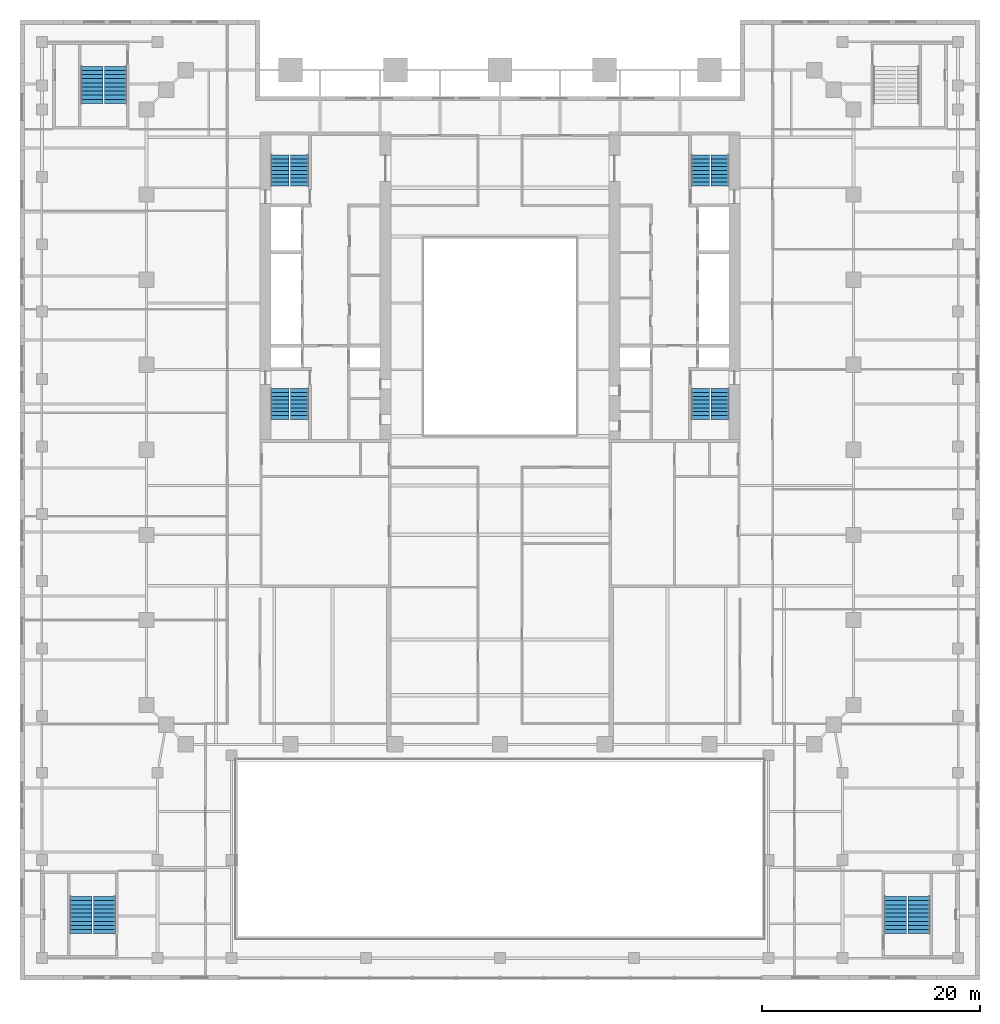
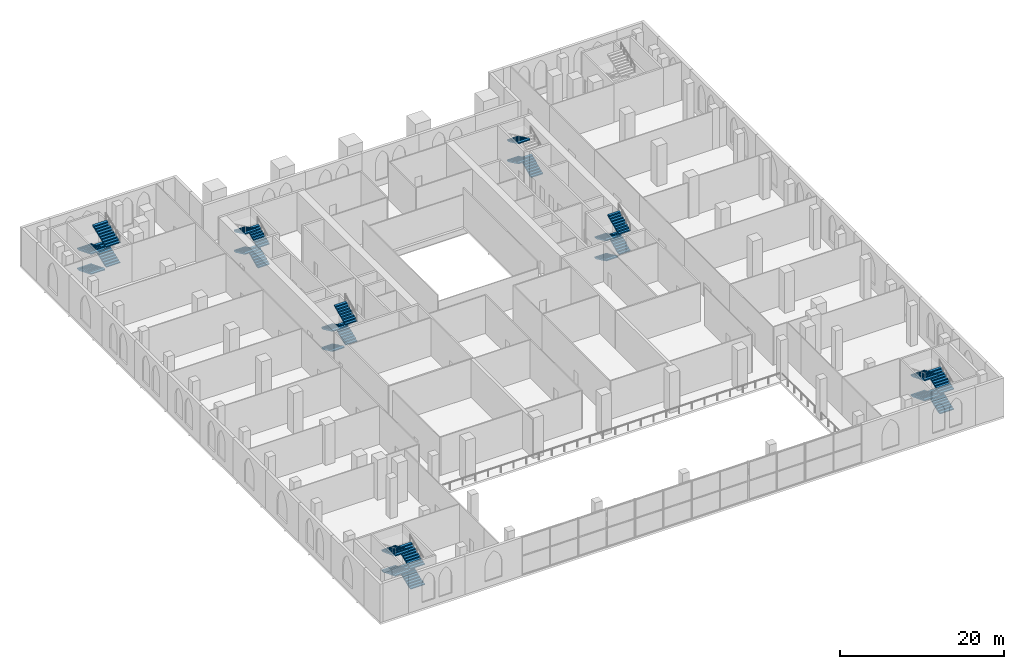
# One storey, part 18 of 21: 27 stair flights, 7 elements without a shape of their own.
"""IFC4 building model written with IfcOpenShell, lengths in metres."""

from ifc_helpers import new_model, si_unit, direction, frame, origin, place, context, subcontext, project, spatial, polyline, outline, extrude, material, type_object, element, aggregate, save


model = new_model("IFC4")

# Units and contexts
model_context = context("Model", 3, precision=1e-05, world=origin(), true_north=direction((0.0, 1.0)))
body_context = subcontext(model_context, "Body", "Model", "MODEL_VIEW")
ifc_project = project(units=[si_unit("LENGTHUNIT", "METRE"), si_unit("AREAUNIT", "SQUARE_METRE"), si_unit("VOLUMEUNIT", "CUBIC_METRE"), si_unit("PLANEANGLEUNIT", "RADIAN"), si_unit("MASSUNIT", "GRAM", prefix="KILO")], contexts=[model_context])

# Site, building, storey
site_placement = place(None, origin())
site = spatial("IfcSite", under=ifc_project, at=site_placement, CompositionType="ELEMENT")
building_placement = place(site_placement, origin())
building = spatial("IfcBuilding", under=site, at=building_placement, Name="Ogive Exchange Tower", CompositionType="ELEMENT")
storey_placement = place(building_placement, frame((0.0, 0.0, 8.0)))
storey = spatial("IfcBuildingStorey", under=building, at=storey_placement, Name="L01", CompositionType="ELEMENT", Elevation=8.0)

# Stair, stair flights
ifc_material = material(Name="Concrete C40/50", Category="concrete")
stair_type_1 = type_object("IfcStairType", Name="Exit stair 1650 wide", PredefinedType="HALF_TURN_STAIR", material=ifc_material)
stair_1_placement = place(storey_placement, origin())
stair_1 = element("IfcStair", 1, at=stair_1_placement, inside=storey, type_object=stair_type_1, Name="L01 exit stair ST1", PredefinedType="HALF_TURN_STAIR")
stair_flight_type_1 = type_object("IfcStairFlightType", Name="Stair flight 1650 wide", PredefinedType="STRAIGHT", material=ifc_material)
stair_flight_1_placement = place(storey_placement, frame((-20.175048828125, 2.199951171875, 0.0), z_axis=(0.0, 0.0, 1.0), x_axis=(0.0, -1.0, 0.0)))
stair_flight_1 = element("IfcStairFlight", 2, at=stair_flight_1_placement, type_object=stair_flight_type_1, Name="ST1 flight 1", NumberOfRisers=9, NumberOfTreads=8, PredefinedType="STRAIGHT", RiserHeight=0.166666667, TreadLength=0.351, context=body_context, shape_type="SweptSolid", body=[
    extrude(outline(polyline([(0.0, 0.0), (0.0, 0.166748046875), (0.35107421875, 0.166748046875), (0.35107421875, 0.333251953125), (0.701904296875, 0.333251953125), (0.701904296875, 0.5), (1.052978515625, 0.5), (1.052978515625, 0.666748046875), (1.404052734375, 0.666748046875), (1.404052734375, 0.833251953125), (1.7548828125, 0.833251953125), (1.7548828125, 1.0), (2.10595703125, 1.0), (2.10595703125, 1.166748046875), (2.45703125, 1.166748046875), (2.45703125, 1.333251953125), (2.80810546875, 1.333251953125), (2.80810546875, 1.5), (2.80810546875, 1.16748046875), (0.349365234375, 0.0), (0.0, 0.0)])), frame((0.0, 0.824951171875, 0.0), z_axis=(0.0, -1.0, 0.0), x_axis=(1.0, 0.0, 0.0)), (0.0, 0.0, 1.0), 1.64990234375),
])
stair_flight_2_placement = place(storey_placement, frame((-18.375, -0.60791015625, 1.5), z_axis=(0.0, 0.0, 1.0), x_axis=(0.0, 1.0, 0.0)))
stair_flight_2 = element("IfcStairFlight", 3, at=stair_flight_2_placement, type_object=stair_flight_type_1, Name="ST1 flight 2", NumberOfRisers=9, NumberOfTreads=8, PredefinedType="STRAIGHT", RiserHeight=0.166666667, TreadLength=0.351, context=body_context, shape_type="SweptSolid", body=[
    extrude(outline(polyline([(0.0, 0.0), (0.0, 0.166748046875), (0.35107421875, 0.166748046875), (0.35107421875, 0.333251953125), (0.701904296875, 0.333251953125), (0.701904296875, 0.5), (1.052978515625, 0.5), (1.052978515625, 0.666748046875), (1.404052734375, 0.666748046875), (1.404052734375, 0.833251953125), (1.7548828125, 0.833251953125), (1.7548828125, 1.0), (2.10595703125, 1.0), (2.10595703125, 1.166748046875), (2.45703125, 1.166748046875), (2.45703125, 1.333251953125), (2.80810546875, 1.333251953125), (2.80810546875, 1.5), (2.80810546875, 1.16748046875), (0.349365234375, 0.0), (0.0, 0.0)])), frame((0.0, 0.824951171875, 0.0), z_axis=(0.0, -1.0, 0.0), x_axis=(1.0, 0.0, 0.0)), (0.0, 0.0, 1.0), 1.64990234375),
])
stair_flight_3_placement = place(storey_placement, frame((-20.175048828125, 2.199951171875, 3.0), z_axis=(0.0, 0.0, 1.0), x_axis=(0.0, -1.0, 0.0)))
stair_flight_3 = element("IfcStairFlight", 4, at=stair_flight_3_placement, type_object=stair_flight_type_1, Name="ST1 flight 3", NumberOfRisers=9, NumberOfTreads=8, PredefinedType="STRAIGHT", RiserHeight=0.166666667, TreadLength=0.351, context=body_context, shape_type="SweptSolid", body=[
    extrude(outline(polyline([(0.0, 0.0), (0.0, 0.166748046875), (0.35107421875, 0.166748046875), (0.35107421875, 0.333251953125), (0.701904296875, 0.333251953125), (0.701904296875, 0.5), (1.052978515625, 0.5), (1.052978515625, 0.666748046875), (1.404052734375, 0.666748046875), (1.404052734375, 0.833251953125), (1.7548828125, 0.833251953125), (1.7548828125, 1.0), (2.10595703125, 1.0), (2.10595703125, 1.166748046875), (2.45703125, 1.166748046875), (2.45703125, 1.333251953125), (2.80810546875, 1.333251953125), (2.80810546875, 1.5), (2.80810546875, 1.16748046875), (0.349365234375, 0.0), (0.0, 0.0)])), frame((0.0, 0.824951171875, 0.0), z_axis=(0.0, -1.0, 0.0), x_axis=(1.0, 0.0, 0.0)), (0.0, 0.0, 1.0), 1.64990234375),
])
stair_flight_4_placement = place(storey_placement, frame((-18.375, -0.60791015625, 4.5), z_axis=(0.0, 0.0, 1.0), x_axis=(0.0, 1.0, 0.0)))
stair_flight_4 = element("IfcStairFlight", 5, at=stair_flight_4_placement, type_object=stair_flight_type_1, Name="ST1 flight 4", NumberOfRisers=9, NumberOfTreads=8, PredefinedType="STRAIGHT", RiserHeight=0.166666667, TreadLength=0.351, context=body_context, shape_type="SweptSolid", body=[
    extrude(outline(polyline([(0.0, 0.0), (0.0, 0.166748046875), (0.35107421875, 0.166748046875), (0.35107421875, 0.333251953125), (0.701904296875, 0.333251953125), (0.701904296875, 0.5), (1.052978515625, 0.5), (1.052978515625, 0.666748046875), (1.404052734375, 0.666748046875), (1.404052734375, 0.833251953125), (1.7548828125, 0.833251953125), (1.7548828125, 1.0), (2.10595703125, 1.0), (2.10595703125, 1.166748046875), (2.45703125, 1.166748046875), (2.45703125, 1.333251953125), (2.80810546875, 1.333251953125), (2.80810546875, 1.5), (2.80810546875, 1.16748046875), (0.349365234375, 0.0), (0.0, 0.0)])), frame((0.0, 0.824951171875, 0.0), z_axis=(0.0, -1.0, 0.0), x_axis=(1.0, 0.0, 0.0)), (0.0, 0.0, 1.0), 1.64990234375),
])
aggregate(stair_1, [stair_flight_1, stair_flight_2, stair_flight_3, stair_flight_4])

stair_2_placement = place(storey_placement, origin())
stair_2 = element("IfcStair", 6, at=stair_2_placement, inside=storey, type_object=stair_type_1, Name="L01 exit stair ST2", PredefinedType="HALF_TURN_STAIR")
stair_flight_5_placement = place(storey_placement, frame((-18.375, 20.800048828125, 0.0), z_axis=(0.0, 0.0, 1.0), x_axis=(0.0, 1.0, 0.0)))
stair_flight_5 = element("IfcStairFlight", 7, at=stair_flight_5_placement, type_object=stair_flight_type_1, Name="ST2 flight 1", NumberOfRisers=9, NumberOfTreads=8, PredefinedType="STRAIGHT", RiserHeight=0.166666667, TreadLength=0.351, context=body_context, shape_type="SweptSolid", body=[
    extrude(outline(polyline([(0.0, 0.0), (0.0, 0.166748046875), (0.35107421875, 0.166748046875), (0.35107421875, 0.333251953125), (0.701904296875, 0.333251953125), (0.701904296875, 0.5), (1.052978515625, 0.5), (1.052978515625, 0.666748046875), (1.404052734375, 0.666748046875), (1.404052734375, 0.833251953125), (1.7548828125, 0.833251953125), (1.7548828125, 1.0), (2.10595703125, 1.0), (2.10595703125, 1.166748046875), (2.45703125, 1.166748046875), (2.45703125, 1.333251953125), (2.80810546875, 1.333251953125), (2.80810546875, 1.5), (2.80810546875, 1.16748046875), (0.349365234375, 0.0), (0.0, 0.0)])), frame((0.0, 0.824951171875, 0.0), z_axis=(0.0, -1.0, 0.0), x_axis=(1.0, 0.0, 0.0)), (0.0, 0.0, 1.0), 1.64990234375),
])
stair_flight_6_placement = place(storey_placement, frame((-20.175048828125, 23.60791015625, 1.5), z_axis=(0.0, 0.0, 1.0), x_axis=(0.0, -1.0, 0.0)))
stair_flight_6 = element("IfcStairFlight", 8, at=stair_flight_6_placement, type_object=stair_flight_type_1, Name="ST2 flight 2", NumberOfRisers=9, NumberOfTreads=8, PredefinedType="STRAIGHT", RiserHeight=0.166666667, TreadLength=0.351, context=body_context, shape_type="SweptSolid", body=[
    extrude(outline(polyline([(0.0, 0.0), (0.0, 0.166748046875), (0.35107421875, 0.166748046875), (0.35107421875, 0.333251953125), (0.701904296875, 0.333251953125), (0.701904296875, 0.5), (1.052978515625, 0.5), (1.052978515625, 0.666748046875), (1.404052734375, 0.666748046875), (1.404052734375, 0.833251953125), (1.7548828125, 0.833251953125), (1.7548828125, 1.0), (2.10595703125, 1.0), (2.10595703125, 1.166748046875), (2.45703125, 1.166748046875), (2.45703125, 1.333251953125), (2.80810546875, 1.333251953125), (2.80810546875, 1.5), (2.80810546875, 1.16748046875), (0.349365234375, 0.0), (0.0, 0.0)])), frame((0.0, 0.824951171875, 0.0), z_axis=(0.0, -1.0, 0.0), x_axis=(1.0, 0.0, 0.0)), (0.0, 0.0, 1.0), 1.64990234375),
])
stair_flight_7_placement = place(storey_placement, frame((-18.375, 20.800048828125, 3.0), z_axis=(0.0, 0.0, 1.0), x_axis=(0.0, 1.0, 0.0)))
stair_flight_7 = element("IfcStairFlight", 9, at=stair_flight_7_placement, type_object=stair_flight_type_1, Name="ST2 flight 3", NumberOfRisers=9, NumberOfTreads=8, PredefinedType="STRAIGHT", RiserHeight=0.166666667, TreadLength=0.351, context=body_context, shape_type="SweptSolid", body=[
    extrude(outline(polyline([(0.0, 0.0), (0.0, 0.166748046875), (0.35107421875, 0.166748046875), (0.35107421875, 0.333251953125), (0.701904296875, 0.333251953125), (0.701904296875, 0.5), (1.052978515625, 0.5), (1.052978515625, 0.666748046875), (1.404052734375, 0.666748046875), (1.404052734375, 0.833251953125), (1.7548828125, 0.833251953125), (1.7548828125, 1.0), (2.10595703125, 1.0), (2.10595703125, 1.166748046875), (2.45703125, 1.166748046875), (2.45703125, 1.333251953125), (2.80810546875, 1.333251953125), (2.80810546875, 1.5), (2.80810546875, 1.16748046875), (0.349365234375, 0.0), (0.0, 0.0)])), frame((0.0, 0.824951171875, 0.0), z_axis=(0.0, -1.0, 0.0), x_axis=(1.0, 0.0, 0.0)), (0.0, 0.0, 1.0), 1.64990234375),
])
stair_flight_8_placement = place(storey_placement, frame((-20.175048828125, 23.60791015625, 4.5), z_axis=(0.0, 0.0, 1.0), x_axis=(0.0, -1.0, 0.0)))
stair_flight_8 = element("IfcStairFlight", 10, at=stair_flight_8_placement, type_object=stair_flight_type_1, Name="ST2 flight 4", NumberOfRisers=9, NumberOfTreads=8, PredefinedType="STRAIGHT", RiserHeight=0.166666667, TreadLength=0.351, context=body_context, shape_type="SweptSolid", body=[
    extrude(outline(polyline([(0.0, 0.0), (0.0, 0.166748046875), (0.35107421875, 0.166748046875), (0.35107421875, 0.333251953125), (0.701904296875, 0.333251953125), (0.701904296875, 0.5), (1.052978515625, 0.5), (1.052978515625, 0.666748046875), (1.404052734375, 0.666748046875), (1.404052734375, 0.833251953125), (1.7548828125, 0.833251953125), (1.7548828125, 1.0), (2.10595703125, 1.0), (2.10595703125, 1.166748046875), (2.45703125, 1.166748046875), (2.45703125, 1.333251953125), (2.80810546875, 1.333251953125), (2.80810546875, 1.5), (2.80810546875, 1.16748046875), (0.349365234375, 0.0), (0.0, 0.0)])), frame((0.0, 0.824951171875, 0.0), z_axis=(0.0, -1.0, 0.0), x_axis=(1.0, 0.0, 0.0)), (0.0, 0.0, 1.0), 1.64990234375),
])
aggregate(stair_2, [stair_flight_5, stair_flight_6, stair_flight_7, stair_flight_8])

stair_3_placement = place(storey_placement, origin())
stair_3 = element("IfcStair", 11, at=stair_3_placement, inside=storey, type_object=stair_type_1, Name="L01 exit stair ST3", PredefinedType="HALF_TURN_STAIR")
stair_flight_9_placement = place(storey_placement, frame((18.375, 2.199951171875, 0.0), z_axis=(0.0, 0.0, 1.0), x_axis=(0.0, -1.0, 0.0)))
stair_flight_9 = element("IfcStairFlight", 12, at=stair_flight_9_placement, type_object=stair_flight_type_1, Name="ST3 flight 1", NumberOfRisers=9, NumberOfTreads=8, PredefinedType="STRAIGHT", RiserHeight=0.166666667, TreadLength=0.351, context=body_context, shape_type="SweptSolid", body=[
    extrude(outline(polyline([(0.0, 0.0), (0.0, 0.166748046875), (0.35107421875, 0.166748046875), (0.35107421875, 0.333251953125), (0.701904296875, 0.333251953125), (0.701904296875, 0.5), (1.052978515625, 0.5), (1.052978515625, 0.666748046875), (1.404052734375, 0.666748046875), (1.404052734375, 0.833251953125), (1.7548828125, 0.833251953125), (1.7548828125, 1.0), (2.10595703125, 1.0), (2.10595703125, 1.166748046875), (2.45703125, 1.166748046875), (2.45703125, 1.333251953125), (2.80810546875, 1.333251953125), (2.80810546875, 1.5), (2.80810546875, 1.16748046875), (0.349365234375, 0.0), (0.0, 0.0)])), frame((0.0, 0.824951171875, 0.0), z_axis=(0.0, -1.0, 0.0), x_axis=(1.0, 0.0, 0.0)), (0.0, 0.0, 1.0), 1.64990234375),
])
stair_flight_10_placement = place(storey_placement, frame((20.175048828125, -0.60791015625, 1.5), z_axis=(0.0, 0.0, 1.0), x_axis=(0.0, 1.0, 0.0)))
stair_flight_10 = element("IfcStairFlight", 13, at=stair_flight_10_placement, type_object=stair_flight_type_1, Name="ST3 flight 2", NumberOfRisers=9, NumberOfTreads=8, PredefinedType="STRAIGHT", RiserHeight=0.166666667, TreadLength=0.351, context=body_context, shape_type="SweptSolid", body=[
    extrude(outline(polyline([(0.0, 0.0), (0.0, 0.166748046875), (0.35107421875, 0.166748046875), (0.35107421875, 0.333251953125), (0.701904296875, 0.333251953125), (0.701904296875, 0.5), (1.052978515625, 0.5), (1.052978515625, 0.666748046875), (1.404052734375, 0.666748046875), (1.404052734375, 0.833251953125), (1.7548828125, 0.833251953125), (1.7548828125, 1.0), (2.10595703125, 1.0), (2.10595703125, 1.166748046875), (2.45703125, 1.166748046875), (2.45703125, 1.333251953125), (2.80810546875, 1.333251953125), (2.80810546875, 1.5), (2.80810546875, 1.16748046875), (0.349365234375, 0.0), (0.0, 0.0)])), frame((0.0, 0.824951171875, 0.0), z_axis=(0.0, -1.0, 0.0), x_axis=(1.0, 0.0, 0.0)), (0.0, 0.0, 1.0), 1.64990234375),
])
stair_flight_11_placement = place(storey_placement, frame((18.375, 2.199951171875, 3.0), z_axis=(0.0, 0.0, 1.0), x_axis=(0.0, -1.0, 0.0)))
stair_flight_11 = element("IfcStairFlight", 14, at=stair_flight_11_placement, type_object=stair_flight_type_1, Name="ST3 flight 3", NumberOfRisers=9, NumberOfTreads=8, PredefinedType="STRAIGHT", RiserHeight=0.166666667, TreadLength=0.351, context=body_context, shape_type="SweptSolid", body=[
    extrude(outline(polyline([(0.0, 0.0), (0.0, 0.166748046875), (0.35107421875, 0.166748046875), (0.35107421875, 0.333251953125), (0.701904296875, 0.333251953125), (0.701904296875, 0.5), (1.052978515625, 0.5), (1.052978515625, 0.666748046875), (1.404052734375, 0.666748046875), (1.404052734375, 0.833251953125), (1.7548828125, 0.833251953125), (1.7548828125, 1.0), (2.10595703125, 1.0), (2.10595703125, 1.166748046875), (2.45703125, 1.166748046875), (2.45703125, 1.333251953125), (2.80810546875, 1.333251953125), (2.80810546875, 1.5), (2.80810546875, 1.16748046875), (0.349365234375, 0.0), (0.0, 0.0)])), frame((0.0, 0.824951171875, 0.0), z_axis=(0.0, -1.0, 0.0), x_axis=(1.0, 0.0, 0.0)), (0.0, 0.0, 1.0), 1.64990234375),
])
stair_flight_12_placement = place(storey_placement, frame((20.175048828125, -0.60791015625, 4.5), z_axis=(0.0, 0.0, 1.0), x_axis=(0.0, 1.0, 0.0)))
stair_flight_12 = element("IfcStairFlight", 15, at=stair_flight_12_placement, type_object=stair_flight_type_1, Name="ST3 flight 4", NumberOfRisers=9, NumberOfTreads=8, PredefinedType="STRAIGHT", RiserHeight=0.166666667, TreadLength=0.351, context=body_context, shape_type="SweptSolid", body=[
    extrude(outline(polyline([(0.0, 0.0), (0.0, 0.166748046875), (0.35107421875, 0.166748046875), (0.35107421875, 0.333251953125), (0.701904296875, 0.333251953125), (0.701904296875, 0.5), (1.052978515625, 0.5), (1.052978515625, 0.666748046875), (1.404052734375, 0.666748046875), (1.404052734375, 0.833251953125), (1.7548828125, 0.833251953125), (1.7548828125, 1.0), (2.10595703125, 1.0), (2.10595703125, 1.166748046875), (2.45703125, 1.166748046875), (2.45703125, 1.333251953125), (2.80810546875, 1.333251953125), (2.80810546875, 1.5), (2.80810546875, 1.16748046875), (0.349365234375, 0.0), (0.0, 0.0)])), frame((0.0, 0.824951171875, 0.0), z_axis=(0.0, -1.0, 0.0), x_axis=(1.0, 0.0, 0.0)), (0.0, 0.0, 1.0), 1.64990234375),
])
aggregate(stair_3, [stair_flight_9, stair_flight_10, stair_flight_11, stair_flight_12])

stair_4_placement = place(storey_placement, origin())
stair_4 = element("IfcStair", 16, at=stair_4_placement, inside=storey, type_object=stair_type_1, Name="L01 exit stair ST4", PredefinedType="HALF_TURN_STAIR")
stair_flight_13_placement = place(storey_placement, frame((20.175048828125, 20.800048828125, 0.0), z_axis=(0.0, 0.0, 1.0), x_axis=(0.0, 1.0, 0.0)))
stair_flight_13 = element("IfcStairFlight", 17, at=stair_flight_13_placement, type_object=stair_flight_type_1, Name="ST4 flight 1", NumberOfRisers=9, NumberOfTreads=8, PredefinedType="STRAIGHT", RiserHeight=0.166666667, TreadLength=0.351, context=body_context, shape_type="SweptSolid", body=[
    extrude(outline(polyline([(0.0, 0.0), (0.0, 0.166748046875), (0.35107421875, 0.166748046875), (0.35107421875, 0.333251953125), (0.701904296875, 0.333251953125), (0.701904296875, 0.5), (1.052978515625, 0.5), (1.052978515625, 0.666748046875), (1.404052734375, 0.666748046875), (1.404052734375, 0.833251953125), (1.7548828125, 0.833251953125), (1.7548828125, 1.0), (2.10595703125, 1.0), (2.10595703125, 1.166748046875), (2.45703125, 1.166748046875), (2.45703125, 1.333251953125), (2.80810546875, 1.333251953125), (2.80810546875, 1.5), (2.80810546875, 1.16748046875), (0.349365234375, 0.0), (0.0, 0.0)])), frame((0.0, 0.824951171875, 0.0), z_axis=(0.0, -1.0, 0.0), x_axis=(1.0, 0.0, 0.0)), (0.0, 0.0, 1.0), 1.64990234375),
])
stair_flight_14_placement = place(storey_placement, frame((18.375, 23.60791015625, 1.5), z_axis=(0.0, 0.0, 1.0), x_axis=(0.0, -1.0, 0.0)))
stair_flight_14 = element("IfcStairFlight", 18, at=stair_flight_14_placement, type_object=stair_flight_type_1, Name="ST4 flight 2", NumberOfRisers=9, NumberOfTreads=8, PredefinedType="STRAIGHT", RiserHeight=0.166666667, TreadLength=0.351, context=body_context, shape_type="SweptSolid", body=[
    extrude(outline(polyline([(0.0, 0.0), (0.0, 0.166748046875), (0.35107421875, 0.166748046875), (0.35107421875, 0.333251953125), (0.701904296875, 0.333251953125), (0.701904296875, 0.5), (1.052978515625, 0.5), (1.052978515625, 0.666748046875), (1.404052734375, 0.666748046875), (1.404052734375, 0.833251953125), (1.7548828125, 0.833251953125), (1.7548828125, 1.0), (2.10595703125, 1.0), (2.10595703125, 1.166748046875), (2.45703125, 1.166748046875), (2.45703125, 1.333251953125), (2.80810546875, 1.333251953125), (2.80810546875, 1.5), (2.80810546875, 1.16748046875), (0.349365234375, 0.0), (0.0, 0.0)])), frame((0.0, 0.824951171875, 0.0), z_axis=(0.0, -1.0, 0.0), x_axis=(1.0, 0.0, 0.0)), (0.0, 0.0, 1.0), 1.64990234375),
])
stair_flight_15_placement = place(storey_placement, frame((18.375, 23.60791015625, 4.5), z_axis=(0.0, 0.0, 1.0), x_axis=(0.0, -1.0, 0.0)))
stair_flight_15 = element("IfcStairFlight", 19, at=stair_flight_15_placement, type_object=stair_flight_type_1, Name="ST4 flight 4", NumberOfRisers=9, NumberOfTreads=8, PredefinedType="STRAIGHT", RiserHeight=0.166666667, TreadLength=0.351, context=body_context, shape_type="SweptSolid", body=[
    extrude(outline(polyline([(0.0, 0.0), (0.0, 0.166748046875), (0.35107421875, 0.166748046875), (0.35107421875, 0.333251953125), (0.701904296875, 0.333251953125), (0.701904296875, 0.5), (1.052978515625, 0.5), (1.052978515625, 0.666748046875), (1.404052734375, 0.666748046875), (1.404052734375, 0.833251953125), (1.7548828125, 0.833251953125), (1.7548828125, 1.0), (2.10595703125, 1.0), (2.10595703125, 1.166748046875), (2.45703125, 1.166748046875), (2.45703125, 1.333251953125), (2.80810546875, 1.333251953125), (2.80810546875, 1.5), (2.80810546875, 1.16748046875), (0.349365234375, 0.0), (0.0, 0.0)])), frame((0.0, 0.824951171875, 0.0), z_axis=(0.0, -1.0, 0.0), x_axis=(1.0, 0.0, 0.0)), (0.0, 0.0, 1.0), 1.64990234375),
])
aggregate(stair_4, [stair_flight_13, stair_flight_14, stair_flight_15])

stair_type_2 = type_object("IfcStairType", Name="Exit stair 2000 wide", PredefinedType="HALF_TURN_STAIR", material=ifc_material)
stair_5_placement = place(storey_placement, origin())
stair_5 = element("IfcStair", 20, at=stair_5_placement, inside=storey, type_object=stair_type_2, Name="L01 exit stair PS1", PredefinedType="HALF_TURN_STAIR")
stair_flight_type_2 = type_object("IfcStairFlightType", Name="Stair flight 2000 wide", PredefinedType="STRAIGHT", material=ifc_material)
stair_flight_16_placement = place(storey_placement, frame((-36.25, -47.75, 0.0), z_axis=(0.0, 0.0, 1.0), x_axis=(0.0, 1.0, 0.0)))
stair_flight_16 = element("IfcStairFlight", 21, at=stair_flight_16_placement, type_object=stair_flight_type_2, Name="PS1 flight 1", NumberOfRisers=10, NumberOfTreads=9, PredefinedType="STRAIGHT", RiserHeight=0.15, TreadLength=0.378, context=body_context, shape_type="SweptSolid", body=[
    extrude(outline(polyline([(0.0, 0.0), (0.0, 0.14990234375), (0.3779296875, 0.14990234375), (0.3779296875, 0.300048828125), (0.756103515625, 0.300048828125), (0.756103515625, 0.449951171875), (1.134033203125, 0.449951171875), (1.134033203125, 0.60009765625), (1.511962890625, 0.60009765625), (1.511962890625, 0.75), (1.889892578125, 0.75), (1.889892578125, 0.89990234375), (2.26806640625, 0.89990234375), (2.26806640625, 1.050048828125), (2.64599609375, 1.050048828125), (2.64599609375, 1.199951171875), (3.02392578125, 1.199951171875), (3.02392578125, 1.35009765625), (3.402099609375, 1.35009765625), (3.402099609375, 1.5), (3.402099609375, 1.188720703125), (0.406494140625, 0.0), (0.0, 0.0)])), frame((0.0, 1.0, 0.0), z_axis=(0.0, -1.0, 0.0), x_axis=(1.0, 0.0, 0.0)), (0.0, 0.0, 1.0), 2.0),
])
stair_flight_17_placement = place(storey_placement, frame((-38.39990234375, -44.347900390625, 1.5), z_axis=(0.0, 0.0, 1.0), x_axis=(0.0, -1.0, 0.0)))
stair_flight_17 = element("IfcStairFlight", 22, at=stair_flight_17_placement, type_object=stair_flight_type_2, Name="PS1 flight 2", NumberOfRisers=10, NumberOfTreads=9, PredefinedType="STRAIGHT", RiserHeight=0.15, TreadLength=0.378, context=body_context, shape_type="SweptSolid", body=[
    extrude(outline(polyline([(0.0, 0.0), (0.0, 0.14990234375), (0.3779296875, 0.14990234375), (0.3779296875, 0.300048828125), (0.756103515625, 0.300048828125), (0.756103515625, 0.449951171875), (1.134033203125, 0.449951171875), (1.134033203125, 0.60009765625), (1.511962890625, 0.60009765625), (1.511962890625, 0.75), (1.889892578125, 0.75), (1.889892578125, 0.89990234375), (2.26806640625, 0.89990234375), (2.26806640625, 1.050048828125), (2.64599609375, 1.050048828125), (2.64599609375, 1.199951171875), (3.02392578125, 1.199951171875), (3.02392578125, 1.35009765625), (3.402099609375, 1.35009765625), (3.402099609375, 1.5), (3.402099609375, 1.188720703125), (0.406494140625, 0.0), (0.0, 0.0)])), frame((0.0, 1.0, 0.0), z_axis=(0.0, -1.0, 0.0), x_axis=(1.0, 0.0, 0.0)), (0.0, 0.0, 1.0), 2.0),
])
stair_flight_18_placement = place(storey_placement, frame((-36.25, -47.75, 3.0), z_axis=(0.0, 0.0, 1.0), x_axis=(0.0, 1.0, 0.0)))
stair_flight_18 = element("IfcStairFlight", 23, at=stair_flight_18_placement, type_object=stair_flight_type_2, Name="PS1 flight 3", NumberOfRisers=10, NumberOfTreads=9, PredefinedType="STRAIGHT", RiserHeight=0.15, TreadLength=0.378, context=body_context, shape_type="SweptSolid", body=[
    extrude(outline(polyline([(0.0, 0.0), (0.0, 0.14990234375), (0.3779296875, 0.14990234375), (0.3779296875, 0.300048828125), (0.756103515625, 0.300048828125), (0.756103515625, 0.449951171875), (1.134033203125, 0.449951171875), (1.134033203125, 0.60009765625), (1.511962890625, 0.60009765625), (1.511962890625, 0.75), (1.889892578125, 0.75), (1.889892578125, 0.89990234375), (2.26806640625, 0.89990234375), (2.26806640625, 1.050048828125), (2.64599609375, 1.050048828125), (2.64599609375, 1.199951171875), (3.02392578125, 1.199951171875), (3.02392578125, 1.35009765625), (3.402099609375, 1.35009765625), (3.402099609375, 1.5), (3.402099609375, 1.188720703125), (0.406494140625, 0.0), (0.0, 0.0)])), frame((0.0, 1.0, 0.0), z_axis=(0.0, -1.0, 0.0), x_axis=(1.0, 0.0, 0.0)), (0.0, 0.0, 1.0), 2.0),
])
stair_flight_19_placement = place(storey_placement, frame((-38.39990234375, -44.347900390625, 4.5), z_axis=(0.0, 0.0, 1.0), x_axis=(0.0, -1.0, 0.0)))
stair_flight_19 = element("IfcStairFlight", 24, at=stair_flight_19_placement, type_object=stair_flight_type_2, Name="PS1 flight 4", NumberOfRisers=10, NumberOfTreads=9, PredefinedType="STRAIGHT", RiserHeight=0.15, TreadLength=0.378, context=body_context, shape_type="SweptSolid", body=[
    extrude(outline(polyline([(0.0, 0.0), (0.0, 0.14990234375), (0.3779296875, 0.14990234375), (0.3779296875, 0.300048828125), (0.756103515625, 0.300048828125), (0.756103515625, 0.449951171875), (1.134033203125, 0.449951171875), (1.134033203125, 0.60009765625), (1.511962890625, 0.60009765625), (1.511962890625, 0.75), (1.889892578125, 0.75), (1.889892578125, 0.89990234375), (2.26806640625, 0.89990234375), (2.26806640625, 1.050048828125), (2.64599609375, 1.050048828125), (2.64599609375, 1.199951171875), (3.02392578125, 1.199951171875), (3.02392578125, 1.35009765625), (3.402099609375, 1.35009765625), (3.402099609375, 1.5), (3.402099609375, 1.188720703125), (0.406494140625, 0.0), (0.0, 0.0)])), frame((0.0, 1.0, 0.0), z_axis=(0.0, -1.0, 0.0), x_axis=(1.0, 0.0, 0.0)), (0.0, 0.0, 1.0), 2.0),
])
aggregate(stair_5, [stair_flight_16, stair_flight_17, stair_flight_18, stair_flight_19])

stair_6_placement = place(storey_placement, origin())
stair_6 = element("IfcStair", 25, at=stair_6_placement, inside=storey, type_object=stair_type_2, Name="L01 exit stair PS2", PredefinedType="HALF_TURN_STAIR")
stair_flight_20_placement = place(storey_placement, frame((38.39990234375, -47.75, 0.0), z_axis=(0.0, 0.0, 1.0), x_axis=(0.0, 1.0, 0.0)))
stair_flight_20 = element("IfcStairFlight", 26, at=stair_flight_20_placement, type_object=stair_flight_type_2, Name="PS2 flight 1", NumberOfRisers=10, NumberOfTreads=9, PredefinedType="STRAIGHT", RiserHeight=0.15, TreadLength=0.378, context=body_context, shape_type="SweptSolid", body=[
    extrude(outline(polyline([(0.0, 0.0), (0.0, 0.14990234375), (0.3779296875, 0.14990234375), (0.3779296875, 0.300048828125), (0.756103515625, 0.300048828125), (0.756103515625, 0.449951171875), (1.134033203125, 0.449951171875), (1.134033203125, 0.60009765625), (1.511962890625, 0.60009765625), (1.511962890625, 0.75), (1.889892578125, 0.75), (1.889892578125, 0.89990234375), (2.26806640625, 0.89990234375), (2.26806640625, 1.050048828125), (2.64599609375, 1.050048828125), (2.64599609375, 1.199951171875), (3.02392578125, 1.199951171875), (3.02392578125, 1.35009765625), (3.402099609375, 1.35009765625), (3.402099609375, 1.5), (3.402099609375, 1.188720703125), (0.406494140625, 0.0), (0.0, 0.0)])), frame((0.0, 1.0, 0.0), z_axis=(0.0, -1.0, 0.0), x_axis=(1.0, 0.0, 0.0)), (0.0, 0.0, 1.0), 2.0),
])
stair_flight_21_placement = place(storey_placement, frame((36.25, -44.347900390625, 1.5), z_axis=(0.0, 0.0, 1.0), x_axis=(0.0, -1.0, 0.0)))
stair_flight_21 = element("IfcStairFlight", 27, at=stair_flight_21_placement, type_object=stair_flight_type_2, Name="PS2 flight 2", NumberOfRisers=10, NumberOfTreads=9, PredefinedType="STRAIGHT", RiserHeight=0.15, TreadLength=0.378, context=body_context, shape_type="SweptSolid", body=[
    extrude(outline(polyline([(0.0, 0.0), (0.0, 0.14990234375), (0.3779296875, 0.14990234375), (0.3779296875, 0.300048828125), (0.756103515625, 0.300048828125), (0.756103515625, 0.449951171875), (1.134033203125, 0.449951171875), (1.134033203125, 0.60009765625), (1.511962890625, 0.60009765625), (1.511962890625, 0.75), (1.889892578125, 0.75), (1.889892578125, 0.89990234375), (2.26806640625, 0.89990234375), (2.26806640625, 1.050048828125), (2.64599609375, 1.050048828125), (2.64599609375, 1.199951171875), (3.02392578125, 1.199951171875), (3.02392578125, 1.35009765625), (3.402099609375, 1.35009765625), (3.402099609375, 1.5), (3.402099609375, 1.188720703125), (0.406494140625, 0.0), (0.0, 0.0)])), frame((0.0, 1.0, 0.0), z_axis=(0.0, -1.0, 0.0), x_axis=(1.0, 0.0, 0.0)), (0.0, 0.0, 1.0), 2.0),
])
stair_flight_22_placement = place(storey_placement, frame((38.39990234375, -47.75, 3.0), z_axis=(0.0, 0.0, 1.0), x_axis=(0.0, 1.0, 0.0)))
stair_flight_22 = element("IfcStairFlight", 28, at=stair_flight_22_placement, type_object=stair_flight_type_2, Name="PS2 flight 3", NumberOfRisers=10, NumberOfTreads=9, PredefinedType="STRAIGHT", RiserHeight=0.15, TreadLength=0.378, context=body_context, shape_type="SweptSolid", body=[
    extrude(outline(polyline([(0.0, 0.0), (0.0, 0.14990234375), (0.3779296875, 0.14990234375), (0.3779296875, 0.300048828125), (0.756103515625, 0.300048828125), (0.756103515625, 0.449951171875), (1.134033203125, 0.449951171875), (1.134033203125, 0.60009765625), (1.511962890625, 0.60009765625), (1.511962890625, 0.75), (1.889892578125, 0.75), (1.889892578125, 0.89990234375), (2.26806640625, 0.89990234375), (2.26806640625, 1.050048828125), (2.64599609375, 1.050048828125), (2.64599609375, 1.199951171875), (3.02392578125, 1.199951171875), (3.02392578125, 1.35009765625), (3.402099609375, 1.35009765625), (3.402099609375, 1.5), (3.402099609375, 1.188720703125), (0.406494140625, 0.0), (0.0, 0.0)])), frame((0.0, 1.0, 0.0), z_axis=(0.0, -1.0, 0.0), x_axis=(1.0, 0.0, 0.0)), (0.0, 0.0, 1.0), 2.0),
])
stair_flight_23_placement = place(storey_placement, frame((36.25, -44.347900390625, 4.5), z_axis=(0.0, 0.0, 1.0), x_axis=(0.0, -1.0, 0.0)))
stair_flight_23 = element("IfcStairFlight", 29, at=stair_flight_23_placement, type_object=stair_flight_type_2, Name="PS2 flight 4", NumberOfRisers=10, NumberOfTreads=9, PredefinedType="STRAIGHT", RiserHeight=0.15, TreadLength=0.378, context=body_context, shape_type="SweptSolid", body=[
    extrude(outline(polyline([(0.0, 0.0), (0.0, 0.14990234375), (0.3779296875, 0.14990234375), (0.3779296875, 0.300048828125), (0.756103515625, 0.300048828125), (0.756103515625, 0.449951171875), (1.134033203125, 0.449951171875), (1.134033203125, 0.60009765625), (1.511962890625, 0.60009765625), (1.511962890625, 0.75), (1.889892578125, 0.75), (1.889892578125, 0.89990234375), (2.26806640625, 0.89990234375), (2.26806640625, 1.050048828125), (2.64599609375, 1.050048828125), (2.64599609375, 1.199951171875), (3.02392578125, 1.199951171875), (3.02392578125, 1.35009765625), (3.402099609375, 1.35009765625), (3.402099609375, 1.5), (3.402099609375, 1.188720703125), (0.406494140625, 0.0), (0.0, 0.0)])), frame((0.0, 1.0, 0.0), z_axis=(0.0, -1.0, 0.0), x_axis=(1.0, 0.0, 0.0)), (0.0, 0.0, 1.0), 2.0),
])
aggregate(stair_6, [stair_flight_20, stair_flight_21, stair_flight_22, stair_flight_23])

stair_7_placement = place(storey_placement, origin())
stair_7 = element("IfcStair", 30, at=stair_7_placement, inside=storey, type_object=stair_type_2, Name="L01 exit stair PS3", PredefinedType="HALF_TURN_STAIR")
stair_flight_24_placement = place(storey_placement, frame((-37.39990234375, 31.75, 0.0), z_axis=(0.0, 0.0, 1.0), x_axis=(0.0, -1.0, 0.0)))
stair_flight_24 = element("IfcStairFlight", 31, at=stair_flight_24_placement, type_object=stair_flight_type_2, Name="PS3 flight 1", NumberOfRisers=10, NumberOfTreads=9, PredefinedType="STRAIGHT", RiserHeight=0.15, TreadLength=0.378, context=body_context, shape_type="SweptSolid", body=[
    extrude(outline(polyline([(0.0, 0.0), (0.0, 0.14990234375), (0.3779296875, 0.14990234375), (0.3779296875, 0.300048828125), (0.756103515625, 0.300048828125), (0.756103515625, 0.449951171875), (1.134033203125, 0.449951171875), (1.134033203125, 0.60009765625), (1.511962890625, 0.60009765625), (1.511962890625, 0.75), (1.889892578125, 0.75), (1.889892578125, 0.89990234375), (2.26806640625, 0.89990234375), (2.26806640625, 1.050048828125), (2.64599609375, 1.050048828125), (2.64599609375, 1.199951171875), (3.02392578125, 1.199951171875), (3.02392578125, 1.35009765625), (3.402099609375, 1.35009765625), (3.402099609375, 1.5), (3.402099609375, 1.188720703125), (0.406494140625, 0.0), (0.0, 0.0)])), frame((0.0, 1.0, 0.0), z_axis=(0.0, -1.0, 0.0), x_axis=(1.0, 0.0, 0.0)), (0.0, 0.0, 1.0), 2.0),
])
stair_flight_25_placement = place(storey_placement, frame((-35.25, 28.347900390625, 1.5), z_axis=(0.0, 0.0, 1.0), x_axis=(0.0, 1.0, 0.0)))
stair_flight_25 = element("IfcStairFlight", 32, at=stair_flight_25_placement, type_object=stair_flight_type_2, Name="PS3 flight 2", NumberOfRisers=10, NumberOfTreads=9, PredefinedType="STRAIGHT", RiserHeight=0.15, TreadLength=0.378, context=body_context, shape_type="SweptSolid", body=[
    extrude(outline(polyline([(0.0, 0.0), (0.0, 0.14990234375), (0.3779296875, 0.14990234375), (0.3779296875, 0.300048828125), (0.756103515625, 0.300048828125), (0.756103515625, 0.449951171875), (1.134033203125, 0.449951171875), (1.134033203125, 0.60009765625), (1.511962890625, 0.60009765625), (1.511962890625, 0.75), (1.889892578125, 0.75), (1.889892578125, 0.89990234375), (2.26806640625, 0.89990234375), (2.26806640625, 1.050048828125), (2.64599609375, 1.050048828125), (2.64599609375, 1.199951171875), (3.02392578125, 1.199951171875), (3.02392578125, 1.35009765625), (3.402099609375, 1.35009765625), (3.402099609375, 1.5), (3.402099609375, 1.188720703125), (0.406494140625, 0.0), (0.0, 0.0)])), frame((0.0, 1.0, 0.0), z_axis=(0.0, -1.0, 0.0), x_axis=(1.0, 0.0, 0.0)), (0.0, 0.0, 1.0), 2.0),
])
stair_flight_26_placement = place(storey_placement, frame((-37.39990234375, 31.75, 3.0), z_axis=(0.0, 0.0, 1.0), x_axis=(0.0, -1.0, 0.0)))
stair_flight_26 = element("IfcStairFlight", 33, at=stair_flight_26_placement, type_object=stair_flight_type_2, Name="PS3 flight 3", NumberOfRisers=10, NumberOfTreads=9, PredefinedType="STRAIGHT", RiserHeight=0.15, TreadLength=0.378, context=body_context, shape_type="SweptSolid", body=[
    extrude(outline(polyline([(0.0, 0.0), (0.0, 0.14990234375), (0.3779296875, 0.14990234375), (0.3779296875, 0.300048828125), (0.756103515625, 0.300048828125), (0.756103515625, 0.449951171875), (1.134033203125, 0.449951171875), (1.134033203125, 0.60009765625), (1.511962890625, 0.60009765625), (1.511962890625, 0.75), (1.889892578125, 0.75), (1.889892578125, 0.89990234375), (2.26806640625, 0.89990234375), (2.26806640625, 1.050048828125), (2.64599609375, 1.050048828125), (2.64599609375, 1.199951171875), (3.02392578125, 1.199951171875), (3.02392578125, 1.35009765625), (3.402099609375, 1.35009765625), (3.402099609375, 1.5), (3.402099609375, 1.188720703125), (0.406494140625, 0.0), (0.0, 0.0)])), frame((0.0, 1.0, 0.0), z_axis=(0.0, -1.0, 0.0), x_axis=(1.0, 0.0, 0.0)), (0.0, 0.0, 1.0), 2.0),
])
stair_flight_27_placement = place(storey_placement, frame((-35.25, 28.347900390625, 4.5), z_axis=(0.0, 0.0, 1.0), x_axis=(0.0, 1.0, 0.0)))
stair_flight_27 = element("IfcStairFlight", 34, at=stair_flight_27_placement, type_object=stair_flight_type_2, Name="PS3 flight 4", NumberOfRisers=10, NumberOfTreads=9, PredefinedType="STRAIGHT", RiserHeight=0.15, TreadLength=0.378, context=body_context, shape_type="SweptSolid", body=[
    extrude(outline(polyline([(0.0, 0.0), (0.0, 0.14990234375), (0.3779296875, 0.14990234375), (0.3779296875, 0.300048828125), (0.756103515625, 0.300048828125), (0.756103515625, 0.449951171875), (1.134033203125, 0.449951171875), (1.134033203125, 0.60009765625), (1.511962890625, 0.60009765625), (1.511962890625, 0.75), (1.889892578125, 0.75), (1.889892578125, 0.89990234375), (2.26806640625, 0.89990234375), (2.26806640625, 1.050048828125), (2.64599609375, 1.050048828125), (2.64599609375, 1.199951171875), (3.02392578125, 1.199951171875), (3.02392578125, 1.35009765625), (3.402099609375, 1.35009765625), (3.402099609375, 1.5), (3.402099609375, 1.188720703125), (0.406494140625, 0.0), (0.0, 0.0)])), frame((0.0, 1.0, 0.0), z_axis=(0.0, -1.0, 0.0), x_axis=(1.0, 0.0, 0.0)), (0.0, 0.0, 1.0), 2.0),
])
aggregate(stair_7, [stair_flight_24, stair_flight_25, stair_flight_26, stair_flight_27])

save(model, "model.ifc")
